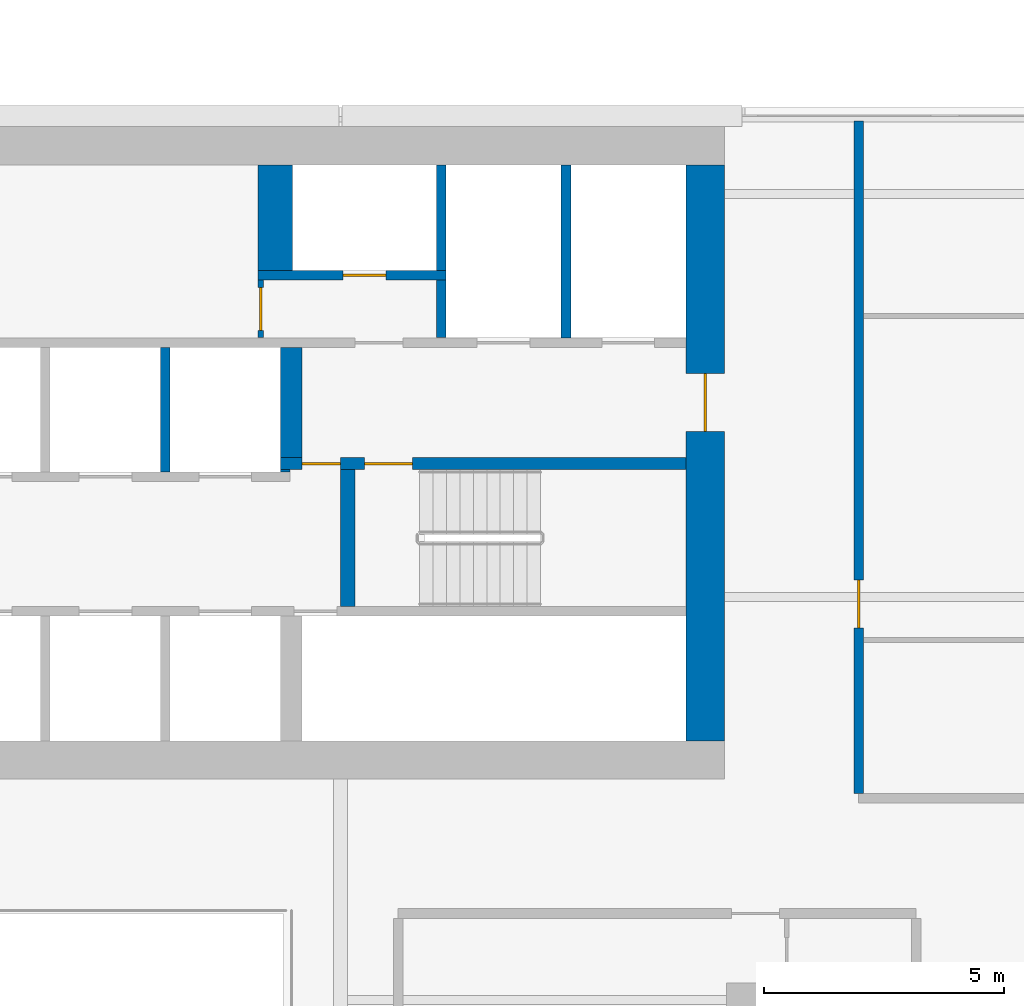
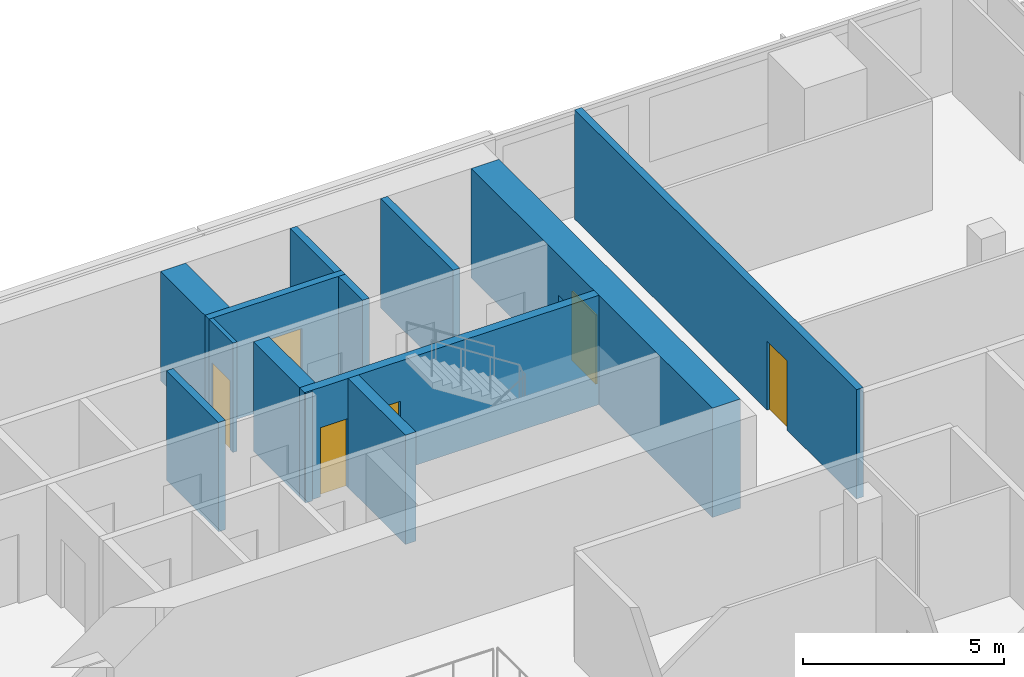
# One storey, part 23 of 30: 13 walls, 6 doors, 6 openings.
"""IFC4 building model written with IfcOpenShell, lengths in metres."""

from ifc_helpers import new_model, si_unit, direction, frame, frame_2d, origin, place, context, subcontext, project, spatial, rectangle, extrude, material, layer, layer_set, type_object, element, fill, save


model = new_model("IFC4")

# Units and contexts
model_context = context("Model", 3, precision=1e-05, world=origin(), true_north=direction((0.0, 1.0)))
body_context = subcontext(model_context, "Body", "Model", "MODEL_VIEW")
ifc_project = project(units=[si_unit("LENGTHUNIT", "METRE"), si_unit("AREAUNIT", "SQUARE_METRE"), si_unit("VOLUMEUNIT", "CUBIC_METRE"), si_unit("PLANEANGLEUNIT", "RADIAN"), si_unit("MASSUNIT", "GRAM", prefix="KILO")], contexts=[model_context])

# Site, building, storey
site_placement = place(None, origin())
site = spatial("IfcSite", under=ifc_project, at=site_placement, CompositionType="ELEMENT")
building_placement = place(site_placement, origin())
building = spatial("IfcBuilding", under=site, at=building_placement, Name="Saffron Gate Tower", CompositionType="ELEMENT")
storey_placement = place(building_placement, frame((0.0, 0.0, 179.85009765625)))
storey = spatial("IfcBuildingStorey", under=building, at=storey_placement, Name="L44", CompositionType="ELEMENT", Elevation=179.85009765625)

# Wall, opening, door
ifc_material_1 = material(Name="Concrete C60", Category="concrete")
ifc_layer_1 = layer(ifc_material_1, 0.800048828125)
ifc_layer_set_1 = layer_set([ifc_layer_1], Name="CW13 RC core wall 800 C60")
wall_type_1 = type_object("IfcWallType", Name="CW13 RC core wall 800 C60", PredefinedType="SOLIDWALL", material=ifc_layer_set_1)
wall_1_placement = place(storey_placement, frame((107.800048828125, 62.39990234375, 0.0), z_axis=(0.0, 0.0, 1.0), x_axis=(0.0, 1.0, 0.0)))
wall_1 = element("IfcWall", 1, at=wall_1_placement, inside=storey, type_object=wall_type_1, Name="Wall CW13-L44-4", PredefinedType="SOLIDWALL", context=body_context, shape_type="SweptSolid", body=[
    extrude(rectangle(XDim=12.0, YDim=0.800048828125, at=frame_2d((6.0, 0.0))), origin(), (0.0, 0.0, 1.0), 3.31982421875),
])
opening_1_placement = place(wall_1_placement, frame((6.449951171875, 0.0, 0.0)))
opening_1 = element("IfcOpeningElement", 2, at=opening_1_placement, cuts=wall_1, Name="Opening CR-08", PredefinedType="OPENING", context=body_context, shape_type="SweptSolid", body=[
    extrude(rectangle(XDim=1.199951171875, YDim=2.10009765625, at=frame_2d((0.60009765625, 1.050048828125))), frame((0.0, 0.41015625, 0.0), z_axis=(0.0, -1.0, 0.0), x_axis=(1.0, 0.0, 0.0)), (0.0, 0.0, 1.0), 0.820068359375),
])
ifc_material_2 = material(Name="Steel fire door set", Category="steel")
door_type_1 = type_object("IfcDoorType", Name="CD7 Core entrance door 1200x2100 EI 120", OperationType="NOTDEFINED", PredefinedType="DOOR", material=ifc_material_2)
door_1_placement = place(opening_1_placement, origin())
door_1 = element("IfcDoor", 3, at=door_1_placement, inside=storey, type_object=door_type_1, Name="DOOR CR-08", OperationType="SINGLE_SWING_RIGHT", OverallHeight=2.10009765625, OverallWidth=1.199951171875, PredefinedType="DOOR", context=body_context, shape_type="SweptSolid", body=[
    extrude(rectangle(XDim=1.199951171875, YDim=2.10009765625, at=frame_2d((0.60009765625, 1.050048828125))), frame((0.0, 0.02490234375, 0.0), z_axis=(0.0, -1.0, 0.0), x_axis=(1.0, 0.0, 0.0)), (0.0, 0.0, 1.0), 0.050048828125),
])
fill(opening_1, door_1)

# Wall, openings, doors
ifc_layer_2 = layer(ifc_material_1, 0.25)
ifc_layer_set_2 = layer_set([ifc_layer_2], Name="CW14 RC core wall 250 C60")
wall_type_2 = type_object("IfcWallType", Name="CW14 RC core wall 250 C60", PredefinedType="SOLIDWALL", material=ifc_layer_set_2)
wall_2_placement = place(storey_placement, frame((98.949951171875, 68.175048828125, 0.0), z_axis=(0.0, 0.0, 1.0), x_axis=(1.0, 0.0, 0.0)))
wall_2 = element("IfcWall", 4, at=wall_2_placement, inside=storey, type_object=wall_type_2, Name="Wall CW14-L44-30", PredefinedType="SOLIDWALL", context=body_context, shape_type="SweptSolid", body=[
    extrude(rectangle(XDim=8.449951171875, YDim=0.25, at=frame_2d((4.22509765625, 0.0))), origin(), (0.0, 0.0, 1.0), 3.31982421875),
])
opening_2_placement = place(wall_2_placement, frame((0.449951171875, 0.0, 0.0)))
opening_2 = element("IfcOpeningElement", 5, at=opening_2_placement, cuts=wall_2, Name="Opening CR-05", PredefinedType="OPENING", context=body_context, shape_type="SweptSolid", body=[
    extrude(rectangle(XDim=0.800048828125, YDim=2.10009765625, at=frame_2d((0.39990234375, 1.050048828125))), frame((0.0, 0.135009765625, 0.0), z_axis=(0.0, -1.0, 0.0), x_axis=(1.0, 0.0, 0.0)), (0.0, 0.0, 1.0), 0.27001953125),
])
opening_3_placement = place(wall_2_placement, frame((1.75, 0.0, 0.0)))
opening_3 = element("IfcOpeningElement", 6, at=opening_3_placement, cuts=wall_2, Name="Opening CR-16", PredefinedType="OPENING", context=body_context, shape_type="SweptSolid", body=[
    extrude(rectangle(XDim=1.0, YDim=2.10009765625, at=frame_2d((0.5, 1.050048828125))), frame((0.0, 0.135009765625, 0.0), z_axis=(0.0, -1.0, 0.0), x_axis=(1.0, 0.0, 0.0)), (0.0, 0.0, 1.0), 0.27001953125),
])
door_type_2 = type_object("IfcDoorType", Name="CD5 Stair door 1000x2100 EI 120", OperationType="NOTDEFINED", PredefinedType="DOOR", material=ifc_material_2)
door_2_placement = place(opening_3_placement, origin())
door_2 = element("IfcDoor", 7, at=door_2_placement, inside=storey, type_object=door_type_2, Name="DOOR CR-16", OperationType="SINGLE_SWING_RIGHT", OverallHeight=2.10009765625, OverallWidth=1.0, PredefinedType="DOOR", context=body_context, shape_type="SweptSolid", body=[
    extrude(rectangle(XDim=1.0, YDim=2.10009765625, at=frame_2d((0.5, 1.050048828125))), frame((0.0, 0.02490234375, 0.0), z_axis=(0.0, -1.0, 0.0), x_axis=(1.0, 0.0, 0.0)), (0.0, 0.0, 1.0), 0.050048828125),
])
fill(opening_3, door_2)
door_type_3 = type_object("IfcDoorType", Name="CD6 Lobby door 800x2100 EI 120", OperationType="NOTDEFINED", PredefinedType="DOOR", material=ifc_material_2)
door_3_placement = place(opening_2_placement, origin())
door_3 = element("IfcDoor", 8, at=door_3_placement, inside=storey, type_object=door_type_3, Name="DOOR CR-05", OperationType="SINGLE_SWING_LEFT", OverallHeight=2.10009765625, OverallWidth=0.800048828125, PredefinedType="DOOR", context=body_context, shape_type="SweptSolid", body=[
    extrude(rectangle(XDim=0.800048828125, YDim=2.10009765625, at=frame_2d((0.39990234375, 1.050048828125))), frame((0.0, 0.02490234375, 0.0), z_axis=(0.0, -1.0, 0.0), x_axis=(1.0, 0.0, 0.0)), (0.0, 0.0, 1.0), 0.050048828125),
])
fill(opening_2, door_3)

# Walls
ifc_layer_3 = layer(ifc_material_1, 0.199951171875)
ifc_layer_set_3 = layer_set([ifc_layer_3], Name="CW15 RC core wall 200 C60")
wall_type_3 = type_object("IfcWallType", Name="CW15 RC core wall 200 C60", PredefinedType="SOLIDWALL", material=ifc_layer_set_3)
wall_3_placement = place(storey_placement, frame((96.550048828125, 68.0, 0.0), z_axis=(0.0, 0.0, 1.0), x_axis=(0.0, 1.0, 0.0)))
element("IfcWall", 9, at=wall_3_placement, inside=storey, type_object=wall_type_3, Name="Wall CW15-L44-27", PredefinedType="SOLIDWALL", context=body_context, shape_type="SweptSolid", body=[
    extrude(rectangle(XDim=2.60009765625, YDim=0.199951171875, at=frame_2d((1.300048828125, 0.0))), origin(), (0.0, 0.0, 1.0), 3.31982421875),
])
wall_4_placement = place(storey_placement, frame((102.300048828125, 70.800048828125, 0.0), z_axis=(0.0, 0.0, 1.0), x_axis=(0.0, 1.0, 0.0)))
element("IfcWall", 10, at=wall_4_placement, inside=storey, type_object=wall_type_3, Name="Wall CW15-L44-40", PredefinedType="SOLIDWALL", context=body_context, shape_type="SweptSolid", body=[
    extrude(rectangle(XDim=1.199951171875, YDim=0.199951171875, at=frame_2d((0.60009765625, 0.0))), origin(), (0.0, 0.0, 1.0), 3.31982421875),
])
wall_5_placement = place(storey_placement, frame((104.89990234375, 70.800048828125, 0.0), z_axis=(0.0, 0.0, 1.0), x_axis=(0.0, 1.0, 0.0)))
element("IfcWall", 11, at=wall_5_placement, inside=storey, type_object=wall_type_3, Name="Wall CW15-L44-41", PredefinedType="SOLIDWALL", context=body_context, shape_type="SweptSolid", body=[
    extrude(rectangle(XDim=3.599853515625, YDim=0.199951171875, at=frame_2d((1.7998046875, 0.0))), origin(), (0.0, 0.0, 1.0), 3.31982421875),
])

# Wall, opening, door
wall_6_placement = place(storey_placement, frame((98.47998046875, 72.10009765625, 0.0), z_axis=(0.0, 0.0, 1.0), x_axis=(1.0, 0.0, 0.0)))
wall_6 = element("IfcWall", 12, at=wall_6_placement, inside=storey, type_object=wall_type_3, Name="Wall CW15-L44-43", PredefinedType="SOLIDWALL", context=body_context, shape_type="SweptSolid", body=[
    extrude(rectangle(XDim=3.919921875, YDim=0.199951171875, at=frame_2d((1.9599609375, 0.0))), origin(), (0.0, 0.0, 1.0), 3.31982421875),
])
opening_4_placement = place(wall_6_placement, frame((1.77001953125, 0.0, 0.0)))
opening_4 = element("IfcOpeningElement", 13, at=opening_4_placement, cuts=wall_6, Name="Opening CR-70", PredefinedType="OPENING", context=body_context, shape_type="SweptSolid", body=[
    extrude(rectangle(XDim=0.89990234375, YDim=2.10009765625, at=frame_2d((0.449951171875, 1.050048828125))), frame((0.0, 0.10986328125, 0.0), z_axis=(0.0, -1.0, 0.0), x_axis=(1.0, 0.0, 0.0)), (0.0, 0.0, 1.0), 0.219970703125),
])
door_type_4 = type_object("IfcDoorType", Name="CD2 Riser door 900x2100 EI 60", OperationType="NOTDEFINED", PredefinedType="DOOR", material=ifc_material_2)
door_4_placement = place(opening_4_placement, origin())
door_4 = element("IfcDoor", 14, at=door_4_placement, inside=storey, type_object=door_type_4, Name="DOOR CR-70", OperationType="SINGLE_SWING_LEFT", OverallHeight=2.10009765625, OverallWidth=0.89990234375, PredefinedType="DOOR", context=body_context, shape_type="SweptSolid", body=[
    extrude(rectangle(XDim=0.89990234375, YDim=2.10009765625, at=frame_2d((0.449951171875, 1.050048828125))), frame((0.0, 0.02490234375, 0.0), z_axis=(0.0, -1.0, 0.0), x_axis=(1.0, 0.0, 0.0)), (0.0, 0.0, 1.0), 0.050048828125),
])
fill(opening_4, door_4)

# Walls
wall_7_placement = place(storey_placement, frame((102.300048828125, 72.199951171875, 0.0), z_axis=(0.0, 0.0, 1.0), x_axis=(0.0, 1.0, 0.0)))
element("IfcWall", 15, at=wall_7_placement, inside=storey, type_object=wall_type_3, Name="Wall CW15-L44-48", PredefinedType="SOLIDWALL", context=body_context, shape_type="SweptSolid", body=[
    extrude(rectangle(XDim=2.199951171875, YDim=0.199951171875, at=frame_2d((1.10009765625, 0.0))), origin(), (0.0, 0.0, 1.0), 3.31982421875),
])
ifc_layer_4 = layer(ifc_material_1, 0.449951171875)
ifc_layer_set_4 = layer_set([ifc_layer_4], Name="CW16 RC core wall 450 C60")
wall_type_4 = type_object("IfcWallType", Name="CW16 RC core wall 450 C60", PredefinedType="SOLIDWALL", material=ifc_layer_set_4)
wall_8_placement = place(storey_placement, frame((99.175048828125, 68.300048828125, 0.0), z_axis=(0.0, 0.0, 1.0), x_axis=(0.0, 1.0, 0.0)))
element("IfcWall", 16, at=wall_8_placement, inside=storey, type_object=wall_type_4, Name="Wall CW16-L44-32", PredefinedType="SOLIDWALL", context=body_context, shape_type="SweptSolid", body=[
    extrude(rectangle(XDim=2.300048828125, YDim=0.449951171875, at=frame_2d((1.14990234375, 0.0))), origin(), (0.0, 0.0, 1.0), 3.31982421875),
])
ifc_layer_5 = layer(ifc_material_1, 0.300048828125)
ifc_layer_set_5 = layer_set([ifc_layer_5], Name="CW17 RC core wall 300 C60")
wall_type_5 = type_object("IfcWallType", Name="CW17 RC core wall 300 C60", PredefinedType="SOLIDWALL", material=ifc_layer_set_5)
wall_9_placement = place(storey_placement, frame((100.35009765625, 65.199951171875, 0.0), z_axis=(0.0, 0.0, 1.0), x_axis=(0.0, 1.0, 0.0)))
element("IfcWall", 17, at=wall_9_placement, inside=storey, type_object=wall_type_5, Name="Wall CW17-L44-18", PredefinedType="SOLIDWALL", context=body_context, shape_type="SweptSolid", body=[
    extrude(rectangle(XDim=2.85009765625, YDim=0.300048828125, at=frame_2d((1.425048828125, 0.0))), origin(), (0.0, 0.0, 1.0), 3.31982421875),
])
ifc_layer_6 = layer(ifc_material_1, 0.050048828125)
ifc_layer_set_6 = layer_set([ifc_layer_6], Name="CW18 RC core wall 50 C60")
wall_type_6 = type_object("IfcWallType", Name="CW18 RC core wall 50 C60", PredefinedType="SOLIDWALL", material=ifc_layer_set_6)
wall_10_placement = place(storey_placement, frame((98.949951171875, 68.02490234375, 0.0), z_axis=(0.0, 0.0, 1.0), x_axis=(1.0, 0.0, 0.0)))
element("IfcWall", 18, at=wall_10_placement, inside=storey, type_object=wall_type_6, Name="Wall CW18-L44-28", PredefinedType="SOLIDWALL", context=body_context, shape_type="SweptSolid", body=[
    extrude(rectangle(XDim=0.199951171875, YDim=0.050048828125, at=frame_2d((0.10009765625, 0.0))), origin(), (0.0, 0.0, 1.0), 3.31982421875),
])
ifc_layer_7 = layer(ifc_material_1, 0.719970703125)
ifc_layer_set_7 = layer_set([ifc_layer_7], Name="CW21 RC core wall 720 C60")
wall_type_7 = type_object("IfcWallType", Name="CW21 RC core wall 720 C60", PredefinedType="SOLIDWALL", material=ifc_layer_set_7)
wall_11_placement = place(storey_placement, frame((98.840087890625, 72.199951171875, 0.0), z_axis=(0.0, 0.0, 1.0), x_axis=(0.0, 1.0, 0.0)))
element("IfcWall", 19, at=wall_11_placement, inside=storey, type_object=wall_type_7, Name="Wall CW21-L44-47", PredefinedType="SOLIDWALL", context=body_context, shape_type="SweptSolid", body=[
    extrude(rectangle(XDim=2.199951171875, YDim=0.719970703125, at=frame_2d((1.10009765625, 0.0))), origin(), (0.0, 0.0, 1.0), 3.31982421875),
])

# Wall, opening, door
ifc_material_3 = material(Name="Gypsum board partition on steel studs", Category="steel")
ifc_layer_8 = layer(ifc_material_3, 0.1201171875)
ifc_layer_set_8 = layer_set([ifc_layer_8], Name="CW8 Core partition 120")
wall_type_8 = type_object("IfcWallType", Name="CW8 Core partition 120", PredefinedType="PARTITIONING", material=ifc_layer_set_8)
wall_12_placement = place(storey_placement, frame((98.5400390625, 70.800048828125, 0.0), z_axis=(0.0, 0.0, 1.0), x_axis=(0.0, 1.0, 0.0)))
wall_12 = element("IfcWall", 20, at=wall_12_placement, inside=storey, type_object=wall_type_8, Name="Wall CW8-L44-39", PredefinedType="PARTITIONING", context=body_context, shape_type="SweptSolid", body=[
    extrude(rectangle(XDim=1.199951171875, YDim=0.1201171875, at=frame_2d((0.60009765625, 0.0))), origin(), (0.0, 0.0, 1.0), 3.31982421875),
])
opening_5_placement = place(wall_12_placement, frame((0.14990234375, 0.0, 0.0)))
opening_5 = element("IfcOpeningElement", 21, at=opening_5_placement, cuts=wall_12, Name="Opening CR-54", PredefinedType="OPENING", context=body_context, shape_type="SweptSolid", body=[
    extrude(rectangle(XDim=0.89990234375, YDim=2.10009765625, at=frame_2d((0.449951171875, 1.050048828125))), frame((0.0, 0.070068359375, 0.0), z_axis=(0.0, -1.0, 0.0), x_axis=(1.0, 0.0, 0.0)), (0.0, 0.0, 1.0), 0.14013671875),
])
door_type_5 = type_object("IfcDoorType", Name="CD9 Room door 900x2100 EI 60", OperationType="NOTDEFINED", PredefinedType="DOOR", material=ifc_material_2)
door_5_placement = place(opening_5_placement, origin())
door_5 = element("IfcDoor", 22, at=door_5_placement, inside=storey, type_object=door_type_5, Name="DOOR CR-54", OperationType="SINGLE_SWING_LEFT", OverallHeight=2.10009765625, OverallWidth=0.89990234375, PredefinedType="DOOR", context=body_context, shape_type="SweptSolid", body=[
    extrude(rectangle(XDim=0.89990234375, YDim=2.10009765625, at=frame_2d((0.449951171875, 1.050048828125))), frame((0.0, 0.02490234375, 0.0), z_axis=(0.0, -1.0, 0.0), x_axis=(1.0, 0.0, 0.0)), (0.0, 0.0, 1.0), 0.050048828125),
])
fill(opening_5, door_5)

ifc_material_4 = material(Name="Clay brick masonry, rendered", Category="masonry")
ifc_layer_9 = layer(ifc_material_4, 0.199951171875)
ifc_layer_set_9 = layer_set([ifc_layer_9], Name="PW3 Corridor wall 200")
wall_type_9 = type_object("IfcWallType", Name="PW3 Corridor wall 200", PredefinedType="PARTITIONING", material=ifc_layer_set_9)
wall_13_placement = place(storey_placement, frame((111.0, 75.320068359375, 0.0), z_axis=(0.0, 0.0, 1.0), x_axis=(0.0, -1.0, 0.0)))
wall_13 = element("IfcWall", 23, at=wall_13_placement, inside=storey, type_object=wall_type_9, Name="Wall C4-100", PredefinedType="PARTITIONING", context=body_context, shape_type="SweptSolid", body=[
    extrude(rectangle(XDim=14.02001953125, YDim=0.199951171875, at=frame_2d((7.010009765625, 0.0))), origin(), (0.0, 0.0, 1.0), 3.31982421875),
])
opening_6_placement = place(wall_13_placement, frame((9.570068359375, 0.0, 0.0)))
opening_6 = element("IfcOpeningElement", 24, at=opening_6_placement, cuts=wall_13, Name="Opening C4-7", PredefinedType="OPENING", context=body_context, shape_type="SweptSolid", body=[
    extrude(rectangle(XDim=1.0, YDim=2.10009765625, at=frame_2d((0.5, 1.050048828125))), frame((0.0, 0.10986328125, 0.0), z_axis=(0.0, -1.0, 0.0), x_axis=(1.0, 0.0, 0.0)), (0.0, 0.0, 1.0), 0.219970703125),
])
ifc_material_5 = material(Name="Timber fire door set", Category="wood")
door_type_6 = type_object("IfcDoorType", Name="FD1 Flat entry door 1000x2100", OperationType="NOTDEFINED", PredefinedType="DOOR", material=ifc_material_5)
door_6_placement = place(opening_6_placement, origin())
door_6 = element("IfcDoor", 25, at=door_6_placement, inside=storey, type_object=door_type_6, Name="Door C4-7", OperationType="SINGLE_SWING_RIGHT", OverallHeight=2.10009765625, OverallWidth=1.0, PredefinedType="DOOR", context=body_context, shape_type="SweptSolid", body=[
    extrude(rectangle(XDim=1.0, YDim=2.10009765625, at=frame_2d((0.5, 1.050048828125))), frame((0.0, 0.02490234375, 0.0), z_axis=(0.0, -1.0, 0.0), x_axis=(1.0, 0.0, 0.0)), (0.0, 0.0, 1.0), 0.050048828125),
])
fill(opening_6, door_6)

save(model, "model.ifc")
